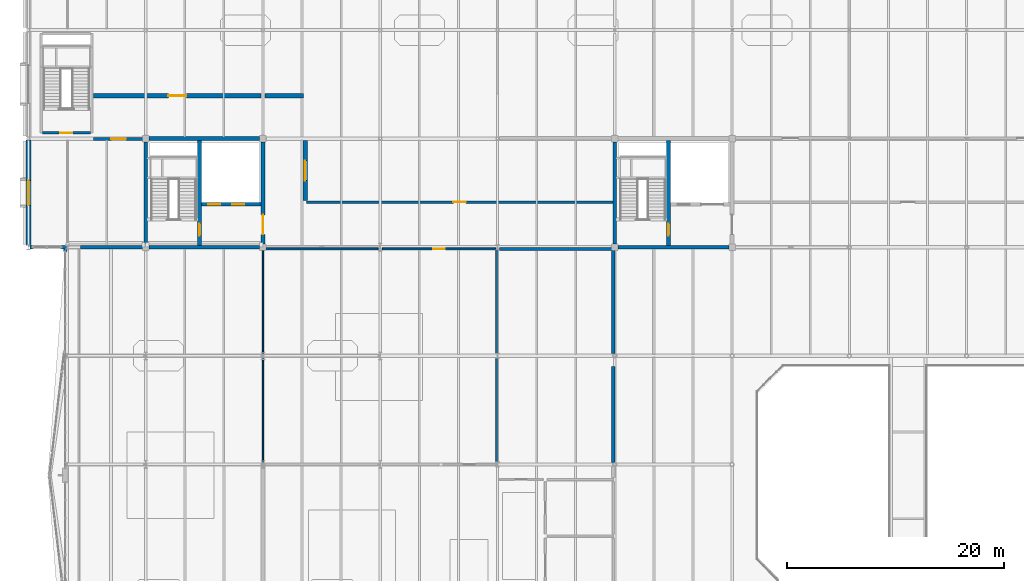
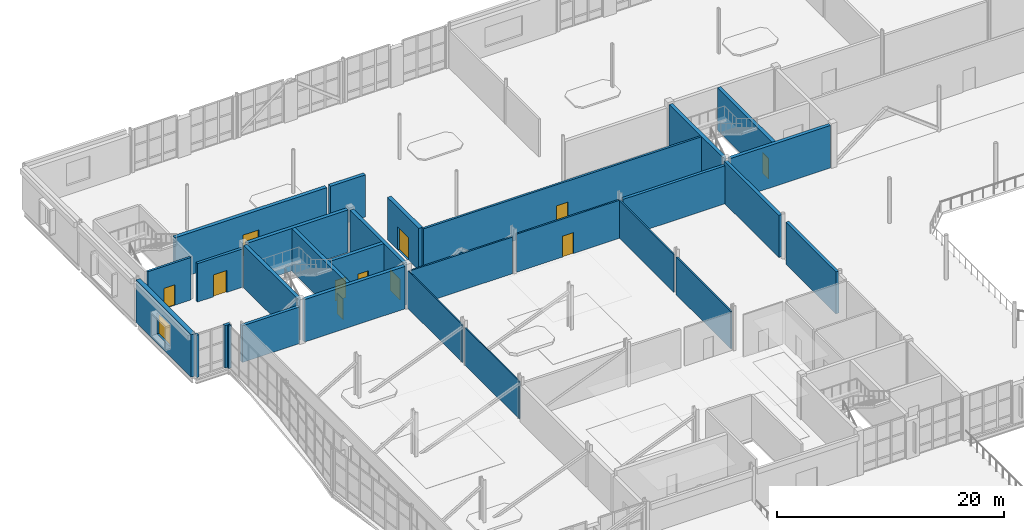
# One storey, part 86 of 100: 29 walls, 11 doors, 1 window, 12 openings.
"""IFC4 building model written with IfcOpenShell, lengths in metres."""

from ifc_helpers import new_model, si_unit, direction, frame, frame_2d, origin, place, context, subcontext, project, spatial, rectangle, extrude, material, layer, layer_set, type_object, element, fill, save


model = new_model("IFC4")

# Units and contexts
model_context = context("Model", 3, precision=1e-05, world=origin(), true_north=direction((0.0, 1.0)))
body_context = subcontext(model_context, "Body", "Model", "MODEL_VIEW")
ifc_project = project(units=[si_unit("LENGTHUNIT", "METRE"), si_unit("AREAUNIT", "SQUARE_METRE"), si_unit("VOLUMEUNIT", "CUBIC_METRE"), si_unit("PLANEANGLEUNIT", "RADIAN"), si_unit("MASSUNIT", "GRAM", prefix="KILO")], contexts=[model_context])

# Site, building, storey
site_placement = place(None, origin())
site = spatial("IfcSite", under=ifc_project, at=site_placement, CompositionType="ELEMENT")
building_placement = place(site_placement, origin())
building = spatial("IfcBuilding", under=site, at=building_placement, Name="Tasgan Crest Museum", CompositionType="ELEMENT")
storey_placement = place(building_placement, frame((0.0, 0.0, 9.60009765625)))
storey = spatial("IfcBuildingStorey", under=building, at=storey_placement, Name="L02", CompositionType="ELEMENT", Elevation=9.60009765625)

# Walls
ifc_material_1 = material(Name="Concrete C40/50", Category="concrete")
ifc_layer_1 = layer(ifc_material_1, 0.35009765625, Name="WL-CORE-350")
ifc_layer_set_1 = layer_set([ifc_layer_1], Name="Concrete C40/50")
wall_type_1 = type_object("IfcWallType", Name="WL-CORE-350", PredefinedType="SHEAR", material=ifc_layer_set_1)
for number, where, z_axis, x_axis, name in (
    (1, (11.10009765625, 82.0, 0.0), (0.0, 0.0, 1.0), (1.0, 0.0, 0.0), "North-West Gallery Core south shear wall L02"),
    (2, (11.10009765625, 92.0, 0.0), (0.0, 0.0, 1.0), (1.0, 0.0, 0.0), "North-West Gallery Core north shear wall L02"),
):
    element("IfcWall", number, at=place(storey_placement, frame(where, z_axis=z_axis, x_axis=x_axis)), inside=storey, type_object=wall_type_1, Name=name, PredefinedType="SHEAR", context=body_context, shape_type="SweptSolid", body=[
        extrude(rectangle(XDim=10.199951171875, YDim=0.35009765625, at=frame_2d((5.10009765625, 0.0))), origin(), (0.0, 0.0, 1.0), 4.559814453125),
    ])
wall_1_placement = place(storey_placement, frame((10.800048828125, 82.300048828125, 0.0), z_axis=(0.0, 0.0, 1.0), x_axis=(0.0, 1.0, 0.0)))
element("IfcWall", 3, at=wall_1_placement, inside=storey, type_object=wall_type_1, Name="North-West Gallery Core west shear wall L02", PredefinedType="SHEAR", context=body_context, shape_type="SweptSolid", body=[
    extrude(rectangle(XDim=9.39990234375, YDim=0.35009765625, at=frame_2d((4.699951171875, 0.0))), origin(), (0.0, 0.0, 1.0), 4.559814453125),
])

# Wall, opening, door
wall_2_placement = place(storey_placement, frame((21.60009765625, 82.300048828125, 0.0), z_axis=(0.0, 0.0, 1.0), x_axis=(0.0, 1.0, 0.0)))
wall_2 = element("IfcWall", 4, at=wall_2_placement, inside=storey, type_object=wall_type_1, Name="North-West Gallery Core east shear wall L02", PredefinedType="SHEAR", context=body_context, shape_type="SweptSolid", body=[
    extrude(rectangle(XDim=9.39990234375, YDim=0.35009765625, at=frame_2d((4.699951171875, 0.0))), origin(), (0.0, 0.0, 1.0), 4.559814453125),
])
opening_1_placement = place(wall_2_placement, frame((0.8798828125, 0.0, 0.0)))
opening_1 = element("IfcOpeningElement", 5, at=opening_1_placement, cuts=wall_2, Name="Opening LD-NW-L02", PredefinedType="OPENING", context=body_context, shape_type="SweptSolid", body=[
    extrude(rectangle(XDim=1.800048828125, YDim=2.25, at=frame_2d((0.89990234375, 1.125))), frame((0.0, 0.18505859375, 0.0), z_axis=(0.0, -1.0, 0.0), x_axis=(1.0, 0.0, 0.0)), (0.0, 0.0, 1.0), 0.3701171875),
])
ifc_material_2 = material(Name="Fire-Rated Double Lobby Door")
door_type_1 = type_object("IfcDoorType", Name="DR-FD2-1800", OperationType="NOTDEFINED", PredefinedType="DOOR", material=ifc_material_2)
door_1_placement = place(opening_1_placement, origin())
door_1 = element("IfcDoor", 6, at=door_1_placement, inside=storey, type_object=door_type_1, Name="North-West Gallery Core lobby door L02", OperationType="DOUBLE_DOOR_SINGLE_SWING", OverallHeight=2.25, OverallWidth=1.800048828125, PredefinedType="DOOR", context=body_context, shape_type="SweptSolid", body=[
    extrude(rectangle(XDim=1.800048828125, YDim=2.25, at=frame_2d((0.89990234375, 1.125))), frame((0.0, 0.02490234375, 0.0), z_axis=(0.0, -1.0, 0.0), x_axis=(1.0, 0.0, 0.0)), (0.0, 0.0, 1.0), 0.050048828125),
])
fill(opening_1, door_1)

wall_3_placement = place(storey_placement, frame((15.75, 82.175048828125, 0.0), z_axis=(0.0, 0.0, 1.0), x_axis=(0.0, 1.0, 0.0)))
wall_3 = element("IfcWall", 7, at=wall_3_placement, inside=storey, type_object=wall_type_1, Name="North-West Gallery Core stair-lobby shear wall L02", PredefinedType="SHEAR", context=body_context, shape_type="SweptSolid", body=[
    extrude(rectangle(XDim=9.64990234375, YDim=0.35009765625, at=frame_2d((4.824951171875, 0.0))), origin(), (0.0, 0.0, 1.0), 4.559814453125),
])
opening_2_placement = place(wall_3_placement, frame((0.89990234375, 0.0, 0.0)))
opening_2 = element("IfcOpeningElement", 8, at=opening_2_placement, cuts=wall_3, Name="Opening SD-NW-L02", PredefinedType="OPENING", context=body_context, shape_type="SweptSolid", body=[
    extrude(rectangle(XDim=1.10009765625, YDim=2.199951171875, at=frame_2d((0.550048828125, 1.10009765625))), frame((0.0, 0.18505859375, 0.0), z_axis=(0.0, -1.0, 0.0), x_axis=(1.0, 0.0, 0.0)), (0.0, 0.0, 1.0), 0.3701171875),
])
ifc_material_3 = material(Name="Fire-Rated Steel Door", Category="steel")
door_type_2 = type_object("IfcDoorType", Name="DR-FD1-1100", OperationType="NOTDEFINED", PredefinedType="DOOR", material=ifc_material_3)
door_2_placement = place(opening_2_placement, origin())
door_2 = element("IfcDoor", 9, at=door_2_placement, inside=storey, type_object=door_type_2, Name="North-West Gallery Core stair door L02", OperationType="SINGLE_SWING_LEFT", OverallHeight=2.199951171875, OverallWidth=1.10009765625, PredefinedType="DOOR", context=body_context, shape_type="SweptSolid", body=[
    extrude(rectangle(XDim=1.10009765625, YDim=2.199951171875, at=frame_2d((0.550048828125, 1.10009765625))), frame((0.0, 0.02490234375, 0.0), z_axis=(0.0, -1.0, 0.0), x_axis=(1.0, 0.0, 0.0)), (0.0, 0.0, 1.0), 0.050048828125),
])
fill(opening_2, door_2)

# Wall, openings, doors
wall_4_placement = place(storey_placement, frame((15.929931640625, 85.949951171875, 0.0), z_axis=(0.0, 0.0, 1.0), x_axis=(1.0, 0.0, 0.0)))
wall_4 = element("IfcWall", 10, at=wall_4_placement, inside=storey, type_object=wall_type_1, Name="North-West Gallery Core lift-shaft wall L02", PredefinedType="SHEAR", context=body_context, shape_type="SweptSolid", body=[
    extrude(rectangle(XDim=5.489990234375, YDim=0.35009765625, at=frame_2d((2.7451171875, 0.0))), origin(), (0.0, 0.0, 1.0), 4.559814453125),
])
opening_3_placement = place(wall_4_placement, frame((0.64990234375, 0.0, 0.0)))
opening_3 = element("IfcOpeningElement", 11, at=opening_3_placement, cuts=wall_4, Name="Opening LD-FL1", PredefinedType="OPENING", context=body_context, shape_type="SweptSolid", body=[
    extrude(rectangle(XDim=1.10009765625, YDim=2.199951171875, at=frame_2d((0.550048828125, 1.10009765625))), frame((0.0, 0.18505859375, 0.0), z_axis=(0.0, -1.0, 0.0), x_axis=(1.0, 0.0, 0.0)), (0.0, 0.0, 1.0), 0.3701171875),
])
opening_4_placement = place(wall_4_placement, frame((2.85009765625, 0.0, 0.0)))
opening_4 = element("IfcOpeningElement", 12, at=opening_4_placement, cuts=wall_4, Name="Opening LD-PL1", PredefinedType="OPENING", context=body_context, shape_type="SweptSolid", body=[
    extrude(rectangle(XDim=1.10009765625, YDim=2.199951171875, at=frame_2d((0.550048828125, 1.10009765625))), frame((0.0, 0.18505859375, 0.0), z_axis=(0.0, -1.0, 0.0), x_axis=(1.0, 0.0, 0.0)), (0.0, 0.0, 1.0), 0.3701171875),
])
ifc_material_4 = material(Name="Stainless Steel Firefighting Lift Landing Door", Category="steel")
door_type_3 = type_object("IfcDoorType", Name="LD-FF-1100", OperationType="NOTDEFINED", PredefinedType="DOOR", material=ifc_material_4)
door_3_placement = place(opening_3_placement, origin())
door_3 = element("IfcDoor", 13, at=door_3_placement, inside=storey, type_object=door_type_3, Name="Firefighting lift landing door FL1 L02", OperationType="DOUBLE_DOOR_SLIDING", OverallHeight=2.199951171875, OverallWidth=1.10009765625, PredefinedType="DOOR", context=body_context, shape_type="SweptSolid", body=[
    extrude(rectangle(XDim=1.10009765625, YDim=2.199951171875, at=frame_2d((0.550048828125, 1.10009765625))), frame((0.0, 0.02490234375, 0.0), z_axis=(0.0, -1.0, 0.0), x_axis=(1.0, 0.0, 0.0)), (0.0, 0.0, 1.0), 0.050048828125),
])
fill(opening_3, door_3)
ifc_material_5 = material(Name="Brushed Bronze Passenger Lift Landing Door")
door_type_4 = type_object("IfcDoorType", Name="LD-PAX-1100", OperationType="NOTDEFINED", PredefinedType="DOOR", material=ifc_material_5)
door_4_placement = place(opening_4_placement, origin())
door_4 = element("IfcDoor", 14, at=door_4_placement, inside=storey, type_object=door_type_4, Name="Lift landing sliding door PL1 L02", OperationType="DOUBLE_DOOR_SLIDING", OverallHeight=2.199951171875, OverallWidth=1.10009765625, PredefinedType="DOOR", context=body_context, shape_type="SweptSolid", body=[
    extrude(rectangle(XDim=1.10009765625, YDim=2.199951171875, at=frame_2d((0.550048828125, 1.10009765625))), frame((0.0, 0.02490234375, 0.0), z_axis=(0.0, -1.0, 0.0), x_axis=(1.0, 0.0, 0.0)), (0.0, 0.0, 1.0), 0.050048828125),
])
fill(opening_4, door_4)

# Walls
wall_5_placement = place(storey_placement, frame((54.300048828125, 82.0, 0.0), z_axis=(0.0, 0.0, 1.0), x_axis=(1.0, 0.0, 0.0)))
element("IfcWall", 15, at=wall_5_placement, inside=storey, type_object=wall_type_1, Name="North-Central Sawtooth Core south shear wall L02", PredefinedType="SHEAR", context=body_context, shape_type="SweptSolid", body=[
    extrude(rectangle(XDim=10.199951171875, YDim=0.35009765625, at=frame_2d((5.10009765625, 0.0))), origin(), (0.0, 0.0, 1.0), 4.559814453125),
])
wall_6_placement = place(storey_placement, frame((54.0, 82.300048828125, 0.0), z_axis=(0.0, 0.0, 1.0), x_axis=(0.0, 1.0, 0.0)))
element("IfcWall", 16, at=wall_6_placement, inside=storey, type_object=wall_type_1, Name="North-Central Sawtooth Core west shear wall L02", PredefinedType="SHEAR", context=body_context, shape_type="SweptSolid", body=[
    extrude(rectangle(XDim=9.39990234375, YDim=0.35009765625, at=frame_2d((4.699951171875, 0.0))), origin(), (0.0, 0.0, 1.0), 4.559814453125),
])

# Wall, opening, door
wall_7_placement = place(storey_placement, frame((58.949951171875, 82.175048828125, 0.0), z_axis=(0.0, 0.0, 1.0), x_axis=(0.0, 1.0, 0.0)))
wall_7 = element("IfcWall", 17, at=wall_7_placement, inside=storey, type_object=wall_type_1, Name="North-Central Sawtooth Core stair-lobby shear wall L02", PredefinedType="SHEAR", context=body_context, shape_type="SweptSolid", body=[
    extrude(rectangle(XDim=9.64990234375, YDim=0.35009765625, at=frame_2d((4.824951171875, 0.0))), origin(), (0.0, 0.0, 1.0), 4.559814453125),
])
opening_5_placement = place(wall_7_placement, frame((0.89990234375, 0.0, 0.0)))
opening_5 = element("IfcOpeningElement", 18, at=opening_5_placement, cuts=wall_7, Name="Opening SD-NC-L02", PredefinedType="OPENING", context=body_context, shape_type="SweptSolid", body=[
    extrude(rectangle(XDim=1.10009765625, YDim=2.199951171875, at=frame_2d((0.550048828125, 1.10009765625))), frame((0.0, 0.18505859375, 0.0), z_axis=(0.0, -1.0, 0.0), x_axis=(1.0, 0.0, 0.0)), (0.0, 0.0, 1.0), 0.3701171875),
])
door_5_placement = place(opening_5_placement, origin())
door_5 = element("IfcDoor", 19, at=door_5_placement, inside=storey, type_object=door_type_2, Name="North-Central Sawtooth Core stair door L02", OperationType="SINGLE_SWING_LEFT", OverallHeight=2.199951171875, OverallWidth=1.10009765625, PredefinedType="DOOR", context=body_context, shape_type="SweptSolid", body=[
    extrude(rectangle(XDim=1.10009765625, YDim=2.199951171875, at=frame_2d((0.550048828125, 1.10009765625))), frame((0.0, 0.02490234375, 0.0), z_axis=(0.0, -1.0, 0.0), x_axis=(1.0, 0.0, 0.0)), (0.0, 0.0, 1.0), 0.050048828125),
])
fill(opening_5, door_5)

# Walls
ifc_material_6 = material(Name="Precast concrete C40/50", Category="concrete")
ifc_layer_2 = layer(ifc_material_6, 0.320068359375, Name="WL-EXT-CLER-320")
ifc_layer_set_2 = layer_set([ifc_layer_2], Name="Precast concrete C40/50")
wall_type_2 = type_object("IfcWallType", Name="WL-EXT-CLER-320", PredefinedType="STANDARD", material=ifc_layer_set_2)
wall_8_placement = place(storey_placement, frame((0.14501953125, 82.0, 0.0), z_axis=(0.0, 0.0, 1.0), x_axis=(1.0, 0.0, 0.0)))
element("IfcWall", 20, at=wall_8_placement, inside=storey, type_object=wall_type_2, Name="Curtain wall jamb closure L02 JL", PredefinedType="STANDARD", context=body_context, shape_type="SweptSolid", body=[
    extrude(rectangle(XDim=0.22509765625, YDim=0.300048828125, at=frame_2d((0.112548828125, 0.0))), origin(), (0.0, 0.0, 1.0), 4.559814453125),
])
wall_9_placement = place(storey_placement, frame((3.030029296875, 82.0, 0.0), z_axis=(0.0, 0.0, 1.0), x_axis=(1.0, 0.0, 0.0)))
element("IfcWall", 21, at=wall_9_placement, inside=storey, type_object=wall_type_2, Name="Curtain wall jamb closure L02 JR", PredefinedType="STANDARD", context=body_context, shape_type="SweptSolid", body=[
    extrude(rectangle(XDim=0.56005859375, YDim=0.300048828125, at=frame_2d((0.280029296875, 0.0))), origin(), (0.0, 0.0, 1.0), 4.559814453125),
])
wall_10_placement = place(storey_placement, frame((3.39990234375, 81.820068359375, 0.0), z_axis=(0.0, 0.0, 1.0), x_axis=(0.0, -1.0, 0.0)))
element("IfcWall", 22, at=wall_10_placement, inside=storey, type_object=wall_type_2, Name="Curtain wall jamb closure L02 JL", PredefinedType="STANDARD", context=body_context, shape_type="SweptSolid", body=[
    extrude(rectangle(XDim=0.190185546875, YDim=0.300048828125, at=frame_2d((0.09521484375, 0.0))), origin(), (0.0, 0.0, 1.0), 4.559814453125),
])

# Wall, opening, window
ifc_material_7 = material(Name="Precast concrete C40/50", Category="concrete")
ifc_layer_3 = layer(ifc_material_7, 0.449951171875, Name="WL-EXT-LIME-450")
ifc_layer_set_3 = layer_set([ifc_layer_3], Name="Precast concrete C40/50")
wall_type_3 = type_object("IfcWallType", Name="WL-EXT-LIME-450", PredefinedType="STANDARD", material=ifc_layer_set_3)
wall_11_placement = place(storey_placement, frame((0.0, 91.867431640625, 0.0), z_axis=(0.0, 0.0, 1.0), x_axis=(0.0, -1.0, 0.0)))
wall_11 = element("IfcWall", 23, at=wall_11_placement, inside=storey, type_object=wall_type_3, Name="Exterior wall L02 (0.0,87.0)", PredefinedType="STANDARD", context=body_context, shape_type="SweptSolid", body=[
    extrude(rectangle(XDim=9.722412109375, YDim=0.449951171875, at=frame_2d((4.861328125, 0.0))), origin(), (0.0, 0.0, 1.0), 4.559814453125),
])
opening_6_placement = place(wall_11_placement, frame((3.711181640625, 0.0, 1.0)))
opening_6 = element("IfcOpeningElement", 24, at=opening_6_placement, cuts=wall_11, Name="Opening W30", PredefinedType="OPENING", context=body_context, shape_type="SweptSolid", body=[
    extrude(rectangle(XDim=2.300048828125, YDim=2.300048828125, at=frame_2d((1.14990234375, 1.14990234375))), frame((0.0, 0.23486328125, 0.0), z_axis=(0.0, -1.0, 0.0), x_axis=(1.0, 0.0, 0.0)), (0.0, 0.0, 1.0), 0.469970703125),
])
ifc_material_8 = material(Name="Thermally Broken Triple-Glazed Aluminium", Category="aluminium")
window_type = type_object("IfcWindowType", Name="WN-GAL-2300X2300", PartitioningType="SINGLE_PANEL", PredefinedType="WINDOW", material=ifc_material_8)
window_placement = place(opening_6_placement, origin())
window = element("IfcWindow", 25, at=window_placement, inside=storey, type_object=window_type, Name="Window W30 L02-047", OverallHeight=2.300048828125, OverallWidth=2.300048828125, PartitioningType="SINGLE_PANEL", PredefinedType="WINDOW", context=body_context, shape_type="SweptSolid", body=[
    extrude(rectangle(XDim=2.300048828125, YDim=2.300048828125, at=frame_2d((1.14990234375, 1.14990234375))), frame((0.0, 0.030029296875, 0.0), z_axis=(0.0, -1.0, 0.0), x_axis=(1.0, 0.0, 0.0)), (0.0, 0.0, 1.0), 0.06005859375),
])
fill(opening_6, window)

# Walls
ifc_material_9 = material(Name="Gypsum Acoustic Museum Partition")
ifc_layer_4 = layer(ifc_material_9, 0.110107421875, Name="WL-SCH-01")
ifc_layer_set_4 = layer_set([ifc_layer_4], Name="Gypsum Acoustic Museum Partition")
wall_type_4 = type_object("IfcWallType", Name="WL-SCH-01", PredefinedType="PARTITIONING", material=ifc_layer_set_4)
for number, where, z_axis, x_axis, name in (
    (26, (21.60009765625, 62.179931640625, 0.0), (0.0, 0.0, 1.0), (0.0, 1.0, 0.0), "Partition Cantilevered Panorama Natural History Gallery / Sauropod Footprint Fossil Gallery L02"),
    (27, (21.60009765625, 72.199951171875, 0.0), (0.0, 0.0, 1.0), (0.0, 1.0, 0.0), "Partition Cantilevered Panorama Natural History Gallery / Sauropod Footprint Fossil Gallery L02"),
):
    element("IfcWall", number, at=place(storey_placement, frame(where, z_axis=z_axis, x_axis=x_axis)), inside=storey, type_object=wall_type_4, Name=name, PredefinedType="PARTITIONING", context=body_context, shape_type="SweptSolid", body=[
        extrude(rectangle(XDim=9.6201171875, YDim=0.110107421875, at=frame_2d((4.81005859375, 0.0))), origin(), (0.0, 0.0, 1.0), 4.038818359375),
    ])
ifc_material_10 = material(Name="Gypsum Acoustic Museum Partition")
ifc_layer_5 = layer(ifc_material_10, 0.14990234375, Name="WL-SCH-03")
ifc_layer_set_5 = layer_set([ifc_layer_5], Name="Gypsum Acoustic Museum Partition")
wall_type_5 = type_object("IfcWallType", Name="WL-SCH-03", PredefinedType="PARTITIONING", material=ifc_layer_set_5)
for number, where, z_axis, x_axis, name in (
    (28, (43.10009765625, 62.179931640625, 0.0), (0.0, 0.0, 1.0), (0.0, 1.0, 0.0), "Partition Sauropod Footprint Fossil Gallery / Sculpture Terrace Reading Lounge L02"),
    (29, (43.10009765625, 72.199951171875, 0.0), (0.0, 0.0, 1.0), (0.0, 1.0, 0.0), "Partition Sauropod Footprint Fossil Gallery / Sculpture Terrace Reading Lounge L02"),
):
    element("IfcWall", number, at=place(storey_placement, frame(where, z_axis=z_axis, x_axis=x_axis)), inside=storey, type_object=wall_type_5, Name=name, PredefinedType="PARTITIONING", context=body_context, shape_type="SweptSolid", body=[
        extrude(rectangle(XDim=9.6201171875, YDim=0.14990234375, at=frame_2d((4.81005859375, 0.0))), origin(), (0.0, 0.0, 1.0), 4.038818359375),
    ])
ifc_material_11 = material(Name="Gypsum Acoustic Museum Partition")
ifc_layer_6 = layer(ifc_material_11, 0.169921875, Name="WL-SCH-04")
ifc_layer_set_6 = layer_set([ifc_layer_6], Name="Gypsum Acoustic Museum Partition")
wall_type_6 = type_object("IfcWallType", Name="WL-SCH-04", PredefinedType="PARTITIONING", material=ifc_layer_set_6)
wall_12_placement = place(storey_placement, frame((21.780029296875, 81.85009765625, 0.0), z_axis=(0.0, 0.0, 1.0), x_axis=(1.0, 0.0, 0.0)))
element("IfcWall", 30, at=wall_12_placement, inside=storey, type_object=wall_type_6, Name="Partition Sauropod Footprint Fossil Gallery / Second Floor North Spine Corridor L02", PredefinedType="PARTITIONING", context=body_context, shape_type="SweptSolid", body=[
    extrude(rectangle(XDim=10.419921875, YDim=0.169921875, at=frame_2d((5.2099609375, 0.0))), origin(), (0.0, 0.0, 1.0), 3.93994140625),
])

# Wall, opening, door
wall_13_placement = place(storey_placement, frame((32.60009765625, 81.85009765625, 0.0), z_axis=(0.0, 0.0, 1.0), x_axis=(1.0, 0.0, 0.0)))
wall_13 = element("IfcWall", 31, at=wall_13_placement, inside=storey, type_object=wall_type_6, Name="Partition Sauropod Footprint Fossil Gallery / Second Floor North Spine Corridor L02", PredefinedType="PARTITIONING", context=body_context, shape_type="SweptSolid", body=[
    extrude(rectangle(XDim=10.419921875, YDim=0.169921875, at=frame_2d((5.2099609375, 0.0))), origin(), (0.0, 0.0, 1.0), 4.08984375),
])
opening_7_placement = place(wall_13_placement, frame((4.669921875, 0.0, 0.0)))
opening_7 = element("IfcOpeningElement", 32, at=opening_7_placement, cuts=wall_13, Name="Opening D061", PredefinedType="OPENING", context=body_context, shape_type="SweptSolid", body=[
    extrude(rectangle(XDim=1.080078125, YDim=2.25, at=frame_2d((0.5400390625, 1.125))), frame((0.0, 0.094970703125, 0.0), z_axis=(0.0, -1.0, 0.0), x_axis=(1.0, 0.0, 0.0)), (0.0, 0.0, 1.0), 0.18994140625),
])
ifc_material_12 = material(Name="Oak and Brushed Bronze Acoustic Door")
door_type_5 = type_object("IfcDoorType", Name="DR-SCH-05", OperationType="NOTDEFINED", PredefinedType="DOOR", material=ifc_material_12)
door_6_placement = place(opening_7_placement, origin())
door_6 = element("IfcDoor", 33, at=door_6_placement, inside=storey, type_object=door_type_5, Name="Sauropod Footprint Fossil Gallery door D061", OperationType="SINGLE_SWING_LEFT", OverallHeight=2.25, OverallWidth=1.080078125, PredefinedType="DOOR", context=body_context, shape_type="SweptSolid", body=[
    extrude(rectangle(XDim=1.080078125, YDim=2.25, at=frame_2d((0.5400390625, 1.125))), frame((0.0, 0.02490234375, 0.0), z_axis=(0.0, -1.0, 0.0), x_axis=(1.0, 0.0, 0.0)), (0.0, 0.0, 1.0), 0.050048828125),
])
fill(opening_7, door_6)

ifc_material_13 = material(Name="Gypsum Acoustic Museum Partition")
ifc_layer_7 = layer(ifc_material_13, 0.2099609375, Name="WL-SCH-06")
ifc_layer_set_7 = layer_set([ifc_layer_7], Name="Gypsum Acoustic Museum Partition")
wall_type_7 = type_object("IfcWallType", Name="WL-SCH-06", PredefinedType="PARTITIONING", material=ifc_layer_set_7)
wall_14_placement = place(storey_placement, frame((25.60009765625, 86.14990234375, 0.0), z_axis=(0.0, 0.0, 1.0), x_axis=(1.0, 0.0, 0.0)))
wall_14 = element("IfcWall", 34, at=wall_14_placement, inside=storey, type_object=wall_type_7, Name="Partition Second Floor North Spine Corridor / Nomadic Bronze Artifacts Gallery L02", PredefinedType="PARTITIONING", context=body_context, shape_type="SweptSolid", body=[
    extrude(rectangle(XDim=28.219970703125, YDim=0.2099609375, at=frame_2d((14.10986328125, 0.0))), origin(), (0.0, 0.0, 1.0), 4.52001953125),
])
opening_8_placement = place(wall_14_placement, frame((13.534912109375, 0.0, 0.0)))
opening_8 = element("IfcOpeningElement", 35, at=opening_8_placement, cuts=wall_14, Name="Opening D062", PredefinedType="OPENING", context=body_context, shape_type="SweptSolid", body=[
    extrude(rectangle(XDim=1.14990234375, YDim=2.25, at=frame_2d((0.574951171875, 1.125))), frame((0.0, 0.114990234375, 0.0), z_axis=(0.0, -1.0, 0.0), x_axis=(1.0, 0.0, 0.0)), (0.0, 0.0, 1.0), 0.22998046875),
])
ifc_material_14 = material(Name="Oak and Brushed Bronze Acoustic Door")
door_type_6 = type_object("IfcDoorType", Name="DR-SCH-06", OperationType="NOTDEFINED", PredefinedType="DOOR", material=ifc_material_14)
door_7_placement = place(opening_8_placement, origin())
door_7 = element("IfcDoor", 36, at=door_7_placement, inside=storey, type_object=door_type_6, Name="Nomadic Bronze Artifacts Gallery door D062", OperationType="SINGLE_SWING_RIGHT", OverallHeight=2.25, OverallWidth=1.14990234375, PredefinedType="DOOR", context=body_context, shape_type="SweptSolid", body=[
    extrude(rectangle(XDim=1.14990234375, YDim=2.25, at=frame_2d((0.574951171875, 1.125))), frame((0.0, 0.02490234375, 0.0), z_axis=(0.0, -1.0, 0.0), x_axis=(1.0, 0.0, 0.0)), (0.0, 0.0, 1.0), 0.050048828125),
])
fill(opening_8, door_7)

ifc_material_15 = material(Name="Gypsum Acoustic Museum Partition")
ifc_layer_8 = layer(ifc_material_15, 0.27001953125, Name="WL-SCH-08")
ifc_layer_set_8 = layer_set([ifc_layer_8], Name="Gypsum Acoustic Museum Partition")
wall_type_8 = type_object("IfcWallType", Name="WL-SCH-08", PredefinedType="PARTITIONING", material=ifc_layer_set_8)
wall_15_placement = place(storey_placement, frame((6.0, 91.97509765625, 0.0), z_axis=(0.0, 0.0, 1.0), x_axis=(1.0, 0.0, 0.0)))
wall_15 = element("IfcWall", 37, at=wall_15_placement, inside=storey, type_object=wall_type_8, Name="Partition Bronze Age Deer-Stone Archaeology Gallery / L02 North-West Stair Link Corridor L02", PredefinedType="PARTITIONING", context=body_context, shape_type="SweptSolid", body=[
    extrude(rectangle(XDim=4.6201171875, YDim=0.27001953125, at=frame_2d((2.31005859375, 0.0))), origin(), (0.0, 0.0, 1.0), 4.118896484375),
])
opening_9_placement = place(wall_15_placement, frame((1.635009765625, 0.0, 0.0)))
opening_9 = element("IfcOpeningElement", 38, at=opening_9_placement, cuts=wall_15, Name="Opening D064", PredefinedType="OPENING", context=body_context, shape_type="SweptSolid", body=[
    extrude(rectangle(XDim=1.35009765625, YDim=2.35009765625, at=frame_2d((0.675048828125, 1.175048828125))), frame((0.0, 0.14501953125, 0.0), z_axis=(0.0, -1.0, 0.0), x_axis=(1.0, 0.0, 0.0)), (0.0, 0.0, 1.0), 0.2900390625),
])
ifc_material_16 = material(Name="Oak and Brushed Bronze Acoustic Door")
door_type_7 = type_object("IfcDoorType", Name="DR-SCH-08", OperationType="NOTDEFINED", PredefinedType="DOOR", material=ifc_material_16)
door_8_placement = place(opening_9_placement, origin())
door_8 = element("IfcDoor", 39, at=door_8_placement, inside=storey, type_object=door_type_7, Name="Bronze Age Deer-Stone Archaeology Gallery door D064", OperationType="SINGLE_SWING_RIGHT", OverallHeight=2.35009765625, OverallWidth=1.35009765625, PredefinedType="DOOR", context=body_context, shape_type="SweptSolid", body=[
    extrude(rectangle(XDim=1.35009765625, YDim=2.35009765625, at=frame_2d((0.675048828125, 1.175048828125))), frame((0.0, 0.02490234375, 0.0), z_axis=(0.0, -1.0, 0.0), x_axis=(1.0, 0.0, 0.0)), (0.0, 0.0, 1.0), 0.050048828125),
])
fill(opening_9, door_8)

# Walls
ifc_material_17 = material(Name="Gypsum Acoustic Museum Partition")
ifc_layer_9 = layer(ifc_material_17, 0.2900390625, Name="WL-SCH-09")
ifc_layer_set_9 = layer_set([ifc_layer_9], Name="Gypsum Acoustic Museum Partition")
wall_type_9 = type_object("IfcWallType", Name="WL-SCH-09", PredefinedType="PARTITIONING", material=ifc_layer_set_9)
wall_16_placement = place(storey_placement, frame((43.3798828125, 81.85009765625, 0.0), z_axis=(0.0, 0.0, 1.0), x_axis=(1.0, 0.0, 0.0)))
element("IfcWall", 40, at=wall_16_placement, inside=storey, type_object=wall_type_9, Name="Partition Sculpture Terrace Reading Lounge / Second Floor North Spine Corridor L02", PredefinedType="PARTITIONING", context=body_context, shape_type="SweptSolid", body=[
    extrude(rectangle(XDim=10.440185546875, YDim=0.2900390625, at=frame_2d((5.22021484375, 0.0))), origin(), (0.0, 0.0, 1.0), 4.08984375),
])
wall_17_placement = place(storey_placement, frame((53.860107421875, 62.199951171875, 0.0), z_axis=(0.0, 0.0, 1.0), x_axis=(0.0, 1.0, 0.0)))
element("IfcWall", 41, at=wall_17_placement, inside=storey, type_object=wall_type_9, Name="Partition Sculpture Terrace Reading Lounge / Second Floor West Atrium Balcony L02", PredefinedType="PARTITIONING", context=body_context, shape_type="SweptSolid", body=[
    extrude(rectangle(XDim=8.800048828125, YDim=0.2900390625, at=frame_2d((4.39990234375, 0.0))), origin(), (0.0, 0.0, 1.0), 4.52001953125),
])
ifc_material_18 = material(Name="Gypsum Acoustic Museum Partition")
ifc_layer_10 = layer(ifc_material_18, 0.31005859375, Name="WL-SCH-10")
ifc_layer_set_10 = layer_set([ifc_layer_10], Name="Gypsum Acoustic Museum Partition")
wall_type_10 = type_object("IfcWallType", Name="WL-SCH-10", PredefinedType="PARTITIONING", material=ifc_layer_set_10)
wall_18_placement = place(storey_placement, frame((4.800048828125, 82.0, 0.0), z_axis=(0.0, 0.0, 1.0), x_axis=(1.0, 0.0, 0.0)))
element("IfcWall", 42, at=wall_18_placement, inside=storey, type_object=wall_type_10, Name="Partition Cantilevered Panorama Natural History Gallery / Bronze Age Deer-Stone Archaeology Gallery L02", PredefinedType="PARTITIONING", context=body_context, shape_type="SweptSolid", body=[
    extrude(rectangle(XDim=5.820068359375, YDim=0.31005859375, at=frame_2d((2.91015625, 0.0))), origin(), (0.0, 0.0, 1.0), 3.93994140625),
])
ifc_material_19 = material(Name="Gypsum Acoustic Museum Partition")
ifc_layer_11 = layer(ifc_material_19, 0.330078125, Name="WL-SCH-11")
ifc_layer_set_11 = layer_set([ifc_layer_11], Name="Gypsum Acoustic Museum Partition")
wall_type_11 = type_object("IfcWallType", Name="WL-SCH-11", PredefinedType="PARTITIONING", material=ifc_layer_set_11)
wall_19_placement = place(storey_placement, frame((53.860107421875, 72.199951171875, 0.0), z_axis=(0.0, 0.0, 1.0), x_axis=(0.0, 1.0, 0.0)))
element("IfcWall", 43, at=wall_19_placement, inside=storey, type_object=wall_type_11, Name="Partition Sculpture Terrace Reading Lounge / Second Floor North Atrium Promenade L02", PredefinedType="PARTITIONING", context=body_context, shape_type="SweptSolid", body=[
    extrude(rectangle(XDim=9.6201171875, YDim=0.330078125, at=frame_2d((4.81005859375, 0.0))), origin(), (0.0, 0.0, 1.0), 4.52001953125),
])

# Wall, opening, door
ifc_material_20 = material(Name="Gypsum Acoustic Museum Partition")
ifc_layer_12 = layer(ifc_material_20, 0.3701171875, Name="WL-SCH-12")
ifc_layer_set_12 = layer_set([ifc_layer_12], Name="Gypsum Acoustic Museum Partition")
wall_type_12 = type_object("IfcWallType", Name="WL-SCH-12", PredefinedType="PARTITIONING", material=ifc_layer_set_12)
wall_20_placement = place(storey_placement, frame((6.0, 95.949951171875, 0.0), z_axis=(0.0, 0.0, 1.0), x_axis=(1.0, 0.0, 0.0)))
wall_20 = element("IfcWall", 44, at=wall_20_placement, inside=storey, type_object=wall_type_12, Name="Partition L02 North-West Stair Link Corridor / Altai Petroglyph Exhibition Gallery L02", PredefinedType="PARTITIONING", context=body_context, shape_type="SweptSolid", body=[
    extrude(rectangle(XDim=15.419921875, YDim=0.3701171875, at=frame_2d((7.7099609375, 0.0))), origin(), (0.0, 0.0, 1.0), 4.52001953125),
])
opening_10_placement = place(wall_20_placement, frame((6.885009765625, 0.0, 0.0)))
opening_10 = element("IfcOpeningElement", 45, at=opening_10_placement, cuts=wall_20, Name="Opening D067", PredefinedType="OPENING", context=body_context, shape_type="SweptSolid", body=[
    extrude(rectangle(XDim=1.64990234375, YDim=2.39990234375, at=frame_2d((0.824951171875, 1.199951171875))), frame((0.0, 0.195068359375, 0.0), z_axis=(0.0, -1.0, 0.0), x_axis=(1.0, 0.0, 0.0)), (0.0, 0.0, 1.0), 0.39013671875),
])
ifc_material_21 = material(Name="Oak and Brushed Bronze Acoustic Door")
door_type_8 = type_object("IfcDoorType", Name="DR-SCH-11", OperationType="NOTDEFINED", PredefinedType="DOOR", material=ifc_material_21)
door_9_placement = place(opening_10_placement, origin())
door_9 = element("IfcDoor", 46, at=door_9_placement, inside=storey, type_object=door_type_8, Name="Altai Petroglyph Exhibition Gallery door D067", OperationType="SINGLE_SWING_LEFT", OverallHeight=2.39990234375, OverallWidth=1.64990234375, PredefinedType="DOOR", context=body_context, shape_type="SweptSolid", body=[
    extrude(rectangle(XDim=1.64990234375, YDim=2.39990234375, at=frame_2d((0.824951171875, 1.199951171875))), frame((0.0, 0.02490234375, 0.0), z_axis=(0.0, -1.0, 0.0), x_axis=(1.0, 0.0, 0.0)), (0.0, 0.0, 1.0), 0.050048828125),
])
fill(opening_10, door_9)

# Wall
wall_21_placement = place(storey_placement, frame((21.780029296875, 95.949951171875, 0.0), z_axis=(0.0, 0.0, 1.0), x_axis=(1.0, 0.0, 0.0)))
element("IfcWall", 47, at=wall_21_placement, inside=storey, type_object=wall_type_12, Name="Partition L02 West Core Link Corridor / Altai Petroglyph Exhibition Gallery L02", PredefinedType="PARTITIONING", context=body_context, shape_type="SweptSolid", body=[
    extrude(rectangle(XDim=3.570068359375, YDim=0.3701171875, at=frame_2d((1.78515625, 0.0))), origin(), (0.0, 0.0, 1.0), 4.52001953125),
])

# Wall, opening, door
ifc_material_22 = material(Name="Gypsum Acoustic Museum Partition")
ifc_layer_13 = layer(ifc_material_22, 0.409912109375, Name="WL-SCH-14")
ifc_layer_set_13 = layer_set([ifc_layer_13], Name="Gypsum Acoustic Museum Partition")
wall_type_13 = type_object("IfcWallType", Name="WL-SCH-14", PredefinedType="PARTITIONING", material=ifc_layer_set_13)
wall_22_placement = place(storey_placement, frame((25.47509765625, 86.300048828125, 0.0), z_axis=(0.0, 0.0, 1.0), x_axis=(0.0, 1.0, 0.0)))
wall_22 = element("IfcWall", 48, at=wall_22_placement, inside=storey, type_object=wall_type_13, Name="Partition Nomadic Bronze Artifacts Gallery / L02 West Core Link Corridor L02", PredefinedType="PARTITIONING", context=body_context, shape_type="SweptSolid", body=[
    extrude(rectangle(XDim=5.52001953125, YDim=0.409912109375, at=frame_2d((2.760009765625, 0.0))), origin(), (0.0, 0.0, 1.0), 4.52001953125),
])
opening_11_placement = place(wall_22_placement, frame((1.8349609375, 0.0, 0.0)))
opening_11 = element("IfcOpeningElement", 49, at=opening_11_placement, cuts=wall_22, Name="Opening D069", PredefinedType="OPENING", context=body_context, shape_type="SweptSolid", body=[
    extrude(rectangle(XDim=1.85009765625, YDim=2.449951171875, at=frame_2d((0.925048828125, 1.22509765625))), frame((0.0, 0.21484375, 0.0), z_axis=(0.0, -1.0, 0.0), x_axis=(1.0, 0.0, 0.0)), (0.0, 0.0, 1.0), 0.429931640625),
])
ifc_material_23 = material(Name="Oak and Brushed Bronze Acoustic Door")
door_type_9 = type_object("IfcDoorType", Name="DR-SCH-13", OperationType="NOTDEFINED", PredefinedType="DOOR", material=ifc_material_23)
door_10_placement = place(opening_11_placement, origin())
door_10 = element("IfcDoor", 50, at=door_10_placement, inside=storey, type_object=door_type_9, Name="Nomadic Bronze Artifacts Gallery door D069", OperationType="DOUBLE_DOOR_SINGLE_SWING", OverallHeight=2.449951171875, OverallWidth=1.85009765625, PredefinedType="DOOR", context=body_context, shape_type="SweptSolid", body=[
    extrude(rectangle(XDim=1.85009765625, YDim=2.449951171875, at=frame_2d((0.925048828125, 1.22509765625))), frame((0.0, 0.02490234375, 0.0), z_axis=(0.0, -1.0, 0.0), x_axis=(1.0, 0.0, 0.0)), (0.0, 0.0, 1.0), 0.050048828125),
])
fill(opening_11, door_10)

ifc_material_24 = material(Name="Concrete C40/50", Category="concrete")
ifc_layer_14 = layer(ifc_material_24, 0.219970703125, Name="WL-SHAFT-220")
ifc_layer_set_14 = layer_set([ifc_layer_14], Name="Concrete C40/50")
wall_type_14 = type_object("IfcWallType", Name="WL-SHAFT-220", PredefinedType="SHEAR", material=ifc_layer_set_14)
wall_23_placement = place(storey_placement, frame((1.300048828125, 92.530029296875, 0.0), z_axis=(0.0, 0.0, 1.0), x_axis=(1.0, 0.0, 0.0)))
wall_23 = element("IfcWall", 51, at=wall_23_placement, inside=storey, type_object=wall_type_14, Name="GALW stairwell wall L02 S", PredefinedType="SHEAR", context=body_context, shape_type="SweptSolid", body=[
    extrude(rectangle(XDim=4.39990234375, YDim=0.219970703125, at=frame_2d((2.199951171875, 0.0))), origin(), (0.0, 0.0, 1.0), 4.559814453125),
])
opening_12_placement = place(wall_23_placement, frame((1.64990234375, 0.0, 0.0)))
opening_12 = element("IfcOpeningElement", 52, at=opening_12_placement, cuts=wall_23, Name="Opening SD-GA-L02", PredefinedType="OPENING", context=body_context, shape_type="SweptSolid", body=[
    extrude(rectangle(XDim=1.10009765625, YDim=2.199951171875, at=frame_2d((0.550048828125, 1.10009765625))), frame((0.0, 0.119873046875, 0.0), z_axis=(0.0, -1.0, 0.0), x_axis=(1.0, 0.0, 0.0)), (0.0, 0.0, 1.0), 0.239990234375),
])
door_11_placement = place(opening_12_placement, origin())
door_11 = element("IfcDoor", 53, at=door_11_placement, inside=storey, type_object=door_type_2, Name="GALW protected stair door L02", OperationType="SINGLE_SWING_RIGHT", OverallHeight=2.199951171875, OverallWidth=1.10009765625, PredefinedType="DOOR", context=body_context, shape_type="SweptSolid", body=[
    extrude(rectangle(XDim=1.10009765625, YDim=2.199951171875, at=frame_2d((0.550048828125, 1.10009765625))), frame((0.0, 0.02490234375, 0.0), z_axis=(0.0, -1.0, 0.0), x_axis=(1.0, 0.0, 0.0)), (0.0, 0.0, 1.0), 0.050048828125),
])
fill(opening_12, door_11)

save(model, "model.ifc")
